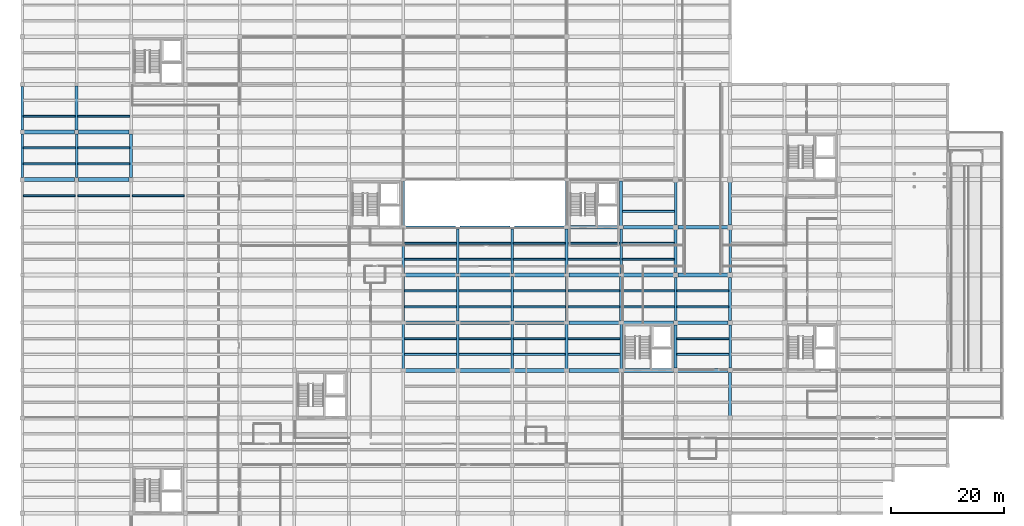
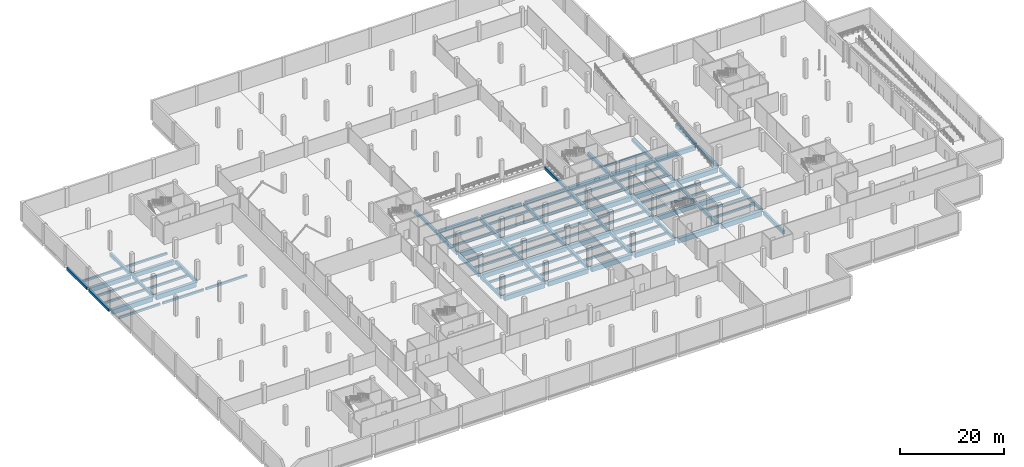
# One storey, part 8 of 30: 102 beams.
"""IFC4 building model written with IfcOpenShell, lengths in metres."""

from ifc_helpers import new_model, si_unit, direction, frame, origin, origin_2d, place, context, subcontext, project, spatial, rectangle, extrude, material, material_profile, profile_set, type_object, element, save


model = new_model("IFC4")

# Units and contexts
model_context = context("Model", 3, precision=1e-05, world=origin(), true_north=direction((0.0, 1.0)))
body_context = subcontext(model_context, "Body", "Model", "MODEL_VIEW")
ifc_project = project(units=[si_unit("LENGTHUNIT", "METRE"), si_unit("AREAUNIT", "SQUARE_METRE"), si_unit("VOLUMEUNIT", "CUBIC_METRE"), si_unit("PLANEANGLEUNIT", "RADIAN"), si_unit("MASSUNIT", "GRAM", prefix="KILO")], contexts=[model_context])

# Site, building, storey
site_placement = place(None, origin())
site = spatial("IfcSite", under=ifc_project, at=site_placement, CompositionType="ELEMENT")
building_placement = place(site_placement, origin())
building = spatial("IfcBuilding", under=site, at=building_placement, Name="Lornevale Opera House", CompositionType="ELEMENT")
storey_placement = place(building_placement, frame((0.0, 0.0, -4.800048828125)))
storey = spatial("IfcBuildingStorey", under=building, at=storey_placement, Name="B1", CompositionType="ELEMENT", Elevation=-4.800048828125)

# Beams
ifc_material_1 = material(Name="Concrete 35 MPa (CSA A23.1 N)", Category="concrete")
ifc_material_profile_1 = material_profile(ifc_material_1, rectangle(XDim=0.449951171875, YDim=0.75, at=origin_2d()), Name="RC450x750")
ifc_profile_set_1 = profile_set([ifc_material_profile_1], Name="Concrete 35 MPa (CSA A23.1 N)")
beam_type_1 = type_object("IfcBeamType", Name="Concrete Floor Beam 450x750", PredefinedType="USERDEFINED", material=ifc_profile_set_1)
beam_1_placement = place(storey_placement, frame((9.60009765625, 67.550048828125, -0.794921875), z_axis=(0.0, 1.0, 0.0), x_axis=(-1.0, 0.0, 0.0)))
element("IfcBeam", 1, at=beam_1_placement, inside=storey, type_object=beam_type_1, Name="Concrete Floor Beam 450x750 0254", ObjectType="GIRDER", PredefinedType="USERDEFINED", context=body_context, shape_type="SweptSolid", body=[
    extrude(rectangle(XDim=0.449951171875, YDim=0.75, at=origin_2d()), origin(), (0.0, 0.0, 1.0), 7.699951171875),
])
beam_2_placement = place(storey_placement, frame((67.199951171875, 33.85009765625, -0.794921875), z_axis=(0.0, 1.0, 0.0), x_axis=(-1.0, 0.0, 0.0)))
element("IfcBeam", 2, at=beam_2_placement, inside=storey, type_object=beam_type_1, Name="Concrete Floor Beam 450x750 0328", ObjectType="GIRDER", PredefinedType="USERDEFINED", context=body_context, shape_type="SweptSolid", body=[
    extrude(rectangle(XDim=0.449951171875, YDim=0.75, at=origin_2d()), origin(), (0.0, 0.0, 1.0), 7.89990234375),
])
beam_3_placement = place(storey_placement, frame((67.199951171875, 50.64990234375, -0.794921875), z_axis=(0.0, 1.0, 0.0), x_axis=(-1.0, 0.0, 0.0)))
element("IfcBeam", 3, at=beam_3_placement, inside=storey, type_object=beam_type_1, Name="Concrete Floor Beam 450x750 0330", ObjectType="GIRDER", PredefinedType="USERDEFINED", context=body_context, shape_type="SweptSolid", body=[
    extrude(rectangle(XDim=0.449951171875, YDim=0.75, at=origin_2d()), origin(), (0.0, 0.0, 1.0), 7.900146484375),
])
for number, where, z_axis, x_axis, name in (
    (4, (76.800048828125, 42.25, -0.794921875), (0.0, 1.0, 0.0), (-1.0, 0.0, 0.0), "Concrete Floor Beam 450x750 0343"),
    (5, (86.39990234375, 33.85009765625, -0.794921875), (0.0, 1.0, 0.0), (-1.0, 0.0, 0.0), "Concrete Floor Beam 450x750 0355"),
):
    element("IfcBeam", number, at=place(storey_placement, frame(where, z_axis=z_axis, x_axis=x_axis)), inside=storey, type_object=beam_type_1, Name=name, ObjectType="GIRDER", PredefinedType="USERDEFINED", context=body_context, shape_type="SweptSolid", body=[
        extrude(rectangle(XDim=0.449951171875, YDim=0.75, at=origin_2d()), origin(), (0.0, 0.0, 1.0), 7.89990234375),
    ])
beam_4_placement = place(storey_placement, frame((86.39990234375, 50.64990234375, -0.794921875), z_axis=(0.0, 1.0, 0.0), x_axis=(-1.0, 0.0, 0.0)))
element("IfcBeam", 6, at=beam_4_placement, inside=storey, type_object=beam_type_1, Name="Concrete Floor Beam 450x750 0357", ObjectType="GIRDER", PredefinedType="USERDEFINED", context=body_context, shape_type="SweptSolid", body=[
    extrude(rectangle(XDim=0.449951171875, YDim=0.75, at=origin_2d()), origin(), (0.0, 0.0, 1.0), 7.900146484375),
])
for number, where, z_axis, x_axis, name in (
    (7, (96.0, 42.25, -0.794921875), (0.0, 1.0, 0.0), (-1.0, 0.0, 0.0), "Concrete Floor Beam 450x750 0369"),
    (8, (105.60009765625, 33.85009765625, -0.794921875), (0.0, 1.0, 0.0), (-1.0, 0.0, 0.0), "Concrete Floor Beam 450x750 0382"),
):
    element("IfcBeam", number, at=place(storey_placement, frame(where, z_axis=z_axis, x_axis=x_axis)), inside=storey, type_object=beam_type_1, Name=name, ObjectType="GIRDER", PredefinedType="USERDEFINED", context=body_context, shape_type="SweptSolid", body=[
        extrude(rectangle(XDim=0.449951171875, YDim=0.75, at=origin_2d()), origin(), (0.0, 0.0, 1.0), 7.89990234375),
    ])
beam_5_placement = place(storey_placement, frame((105.60009765625, 50.64990234375, -0.794921875), z_axis=(0.0, 1.0, 0.0), x_axis=(-1.0, 0.0, 0.0)))
element("IfcBeam", 9, at=beam_5_placement, inside=storey, type_object=beam_type_1, Name="Concrete Floor Beam 450x750 0384", ObjectType="GIRDER", PredefinedType="USERDEFINED", context=body_context, shape_type="SweptSolid", body=[
    extrude(rectangle(XDim=0.449951171875, YDim=0.75, at=origin_2d()), origin(), (0.0, 0.0, 1.0), 7.900146484375),
])
beam_6_placement = place(storey_placement, frame((115.199951171875, 42.375, -0.794921875), z_axis=(0.0, 1.0, 0.0), x_axis=(-1.0, 0.0, 0.0)))
element("IfcBeam", 10, at=beam_6_placement, inside=storey, type_object=beam_type_1, Name="Concrete Floor Beam 450x750 0397", ObjectType="GIRDER", PredefinedType="USERDEFINED", context=body_context, shape_type="SweptSolid", body=[
    extrude(rectangle(XDim=0.449951171875, YDim=0.75, at=origin_2d()), origin(), (0.0, 0.0, 1.0), 7.625),
])
beam_7_placement = place(storey_placement, frame((115.199951171875, 59.199951171875, -0.794921875), z_axis=(0.0, 1.0, 0.0), x_axis=(-1.0, 0.0, 0.0)))
element("IfcBeam", 11, at=beam_7_placement, inside=storey, type_object=beam_type_1, Name="Concrete Floor Beam 450x750 0399", ObjectType="GIRDER", PredefinedType="USERDEFINED", context=body_context, shape_type="SweptSolid", body=[
    extrude(rectangle(XDim=0.449951171875, YDim=0.75, at=origin_2d()), origin(), (0.0, 0.0, 1.0), 7.60009765625),
])
beam_8_placement = place(storey_placement, frame((124.800048828125, 33.97509765625, -0.794921875), z_axis=(0.0, 1.0, 0.0), x_axis=(-1.0, 0.0, 0.0)))
element("IfcBeam", 12, at=beam_8_placement, inside=storey, type_object=beam_type_1, Name="Concrete Floor Beam 450x750 0410", ObjectType="GIRDER", PredefinedType="USERDEFINED", context=body_context, shape_type="SweptSolid", body=[
    extrude(rectangle(XDim=0.449951171875, YDim=0.75, at=origin_2d()), origin(), (0.0, 0.0, 1.0), 7.64990234375),
])
beam_9_placement = place(storey_placement, frame((124.800048828125, 50.800048828125, -0.794921875), z_axis=(0.0, 1.0, 0.0), x_axis=(-1.0, 0.0, 0.0)))
element("IfcBeam", 13, at=beam_9_placement, inside=storey, type_object=beam_type_1, Name="Concrete Floor Beam 450x750 0412", ObjectType="GIRDER", PredefinedType="USERDEFINED", context=body_context, shape_type="SweptSolid", body=[
    extrude(rectangle(XDim=0.449951171875, YDim=0.75, at=origin_2d()), origin(), (0.0, 0.0, 1.0), 7.599853515625),
])
ifc_material_profile_2 = material_profile(ifc_material_1, rectangle(XDim=0.5, YDim=0.800048828125, at=origin_2d()), Name="RC500x800")
ifc_profile_set_2 = profile_set([ifc_material_profile_2], Name="Concrete 35 MPa (CSA A23.1 N)")
beam_type_2 = type_object("IfcBeamType", Name="Concrete Floor Beam 500x800", PredefinedType="USERDEFINED", material=ifc_profile_set_2)
beam_10_placement = place(storey_placement, frame((9.60009765625, 75.949951171875, -0.820068359375), z_axis=(0.0, 1.0, 0.0), x_axis=(-1.0, 0.0, 0.0)))
element("IfcBeam", 14, at=beam_10_placement, inside=storey, type_object=beam_type_2, Name="Concrete Floor Beam 500x800 0255", ObjectType="GIRDER", PredefinedType="USERDEFINED", context=body_context, shape_type="SweptSolid", body=[
    extrude(rectangle(XDim=0.5, YDim=0.800048828125, at=origin_2d()), origin(), (0.0, 0.0, 1.0), 7.775146484375),
])
beam_11_placement = place(storey_placement, frame((19.199951171875, 67.550048828125, -0.820068359375), z_axis=(0.0, 1.0, 0.0), x_axis=(-1.0, 0.0, 0.0)))
element("IfcBeam", 15, at=beam_11_placement, inside=storey, type_object=beam_type_2, Name="Concrete Floor Beam 500x800 0266", ObjectType="GIRDER", PredefinedType="USERDEFINED", context=body_context, shape_type="SweptSolid", body=[
    extrude(rectangle(XDim=0.5, YDim=0.800048828125, at=origin_2d()), origin(), (0.0, 0.0, 1.0), 7.699951171875),
])
for number, where, z_axis, x_axis, name in (
    (16, (67.199951171875, 42.25, -0.820068359375), (0.0, 1.0, 0.0), (-1.0, 0.0, 0.0), "Concrete Floor Beam 500x800 0329"),
    (17, (76.800048828125, 33.85009765625, -0.820068359375), (0.0, 1.0, 0.0), (-1.0, 0.0, 0.0), "Concrete Floor Beam 500x800 0342"),
):
    element("IfcBeam", number, at=place(storey_placement, frame(where, z_axis=z_axis, x_axis=x_axis)), inside=storey, type_object=beam_type_2, Name=name, ObjectType="GIRDER", PredefinedType="USERDEFINED", context=body_context, shape_type="SweptSolid", body=[
        extrude(rectangle(XDim=0.5, YDim=0.800048828125, at=origin_2d()), origin(), (0.0, 0.0, 1.0), 7.89990234375),
    ])
beam_12_placement = place(storey_placement, frame((76.800048828125, 50.64990234375, -0.820068359375), z_axis=(0.0, 1.0, 0.0), x_axis=(-1.0, 0.0, 0.0)))
element("IfcBeam", 18, at=beam_12_placement, inside=storey, type_object=beam_type_2, Name="Concrete Floor Beam 500x800 0344", ObjectType="GIRDER", PredefinedType="USERDEFINED", context=body_context, shape_type="SweptSolid", body=[
    extrude(rectangle(XDim=0.5, YDim=0.800048828125, at=origin_2d()), origin(), (0.0, 0.0, 1.0), 7.900146484375),
])
for number, where, z_axis, x_axis, name in (
    (19, (86.39990234375, 42.25, -0.820068359375), (0.0, 1.0, 0.0), (-1.0, 0.0, 0.0), "Concrete Floor Beam 500x800 0356"),
    (20, (96.0, 33.85009765625, -0.820068359375), (0.0, 1.0, 0.0), (-1.0, 0.0, 0.0), "Concrete Floor Beam 500x800 0368"),
):
    element("IfcBeam", number, at=place(storey_placement, frame(where, z_axis=z_axis, x_axis=x_axis)), inside=storey, type_object=beam_type_2, Name=name, ObjectType="GIRDER", PredefinedType="USERDEFINED", context=body_context, shape_type="SweptSolid", body=[
        extrude(rectangle(XDim=0.5, YDim=0.800048828125, at=origin_2d()), origin(), (0.0, 0.0, 1.0), 7.89990234375),
    ])
beam_13_placement = place(storey_placement, frame((96.0, 50.64990234375, -0.820068359375), z_axis=(0.0, 1.0, 0.0), x_axis=(-1.0, 0.0, 0.0)))
element("IfcBeam", 21, at=beam_13_placement, inside=storey, type_object=beam_type_2, Name="Concrete Floor Beam 500x800 0370", ObjectType="GIRDER", PredefinedType="USERDEFINED", context=body_context, shape_type="SweptSolid", body=[
    extrude(rectangle(XDim=0.5, YDim=0.800048828125, at=origin_2d()), origin(), (0.0, 0.0, 1.0), 7.900146484375),
])
beam_14_placement = place(storey_placement, frame((105.60009765625, 42.25, -0.820068359375), z_axis=(0.0, 1.0, 0.0), x_axis=(-1.0, 0.0, 0.0)))
element("IfcBeam", 22, at=beam_14_placement, inside=storey, type_object=beam_type_2, Name="Concrete Floor Beam 500x800 0383", ObjectType="GIRDER", PredefinedType="USERDEFINED", context=body_context, shape_type="SweptSolid", body=[
    extrude(rectangle(XDim=0.5, YDim=0.800048828125, at=origin_2d()), origin(), (0.0, 0.0, 1.0), 7.89990234375),
])
beam_15_placement = place(storey_placement, frame((105.60009765625, 59.050048828125, -0.820068359375), z_axis=(0.0, 1.0, 0.0), x_axis=(-1.0, 0.0, 0.0)))
element("IfcBeam", 23, at=beam_15_placement, inside=storey, type_object=beam_type_2, Name="Concrete Floor Beam 500x800 0385", ObjectType="GIRDER", PredefinedType="USERDEFINED", context=body_context, shape_type="SweptSolid", body=[
    extrude(rectangle(XDim=0.5, YDim=0.800048828125, at=origin_2d()), origin(), (0.0, 0.0, 1.0), 7.949951171875),
])
beam_16_placement = place(storey_placement, frame((115.199951171875, 33.97509765625, -0.820068359375), z_axis=(0.0, 1.0, 0.0), x_axis=(-1.0, 0.0, 0.0)))
element("IfcBeam", 24, at=beam_16_placement, inside=storey, type_object=beam_type_2, Name="Concrete Floor Beam 500x800 0396", ObjectType="GIRDER", PredefinedType="USERDEFINED", context=body_context, shape_type="SweptSolid", body=[
    extrude(rectangle(XDim=0.5, YDim=0.800048828125, at=origin_2d()), origin(), (0.0, 0.0, 1.0), 7.64990234375),
])
beam_17_placement = place(storey_placement, frame((115.199951171875, 50.800048828125, -0.820068359375), z_axis=(0.0, 1.0, 0.0), x_axis=(-1.0, 0.0, 0.0)))
element("IfcBeam", 25, at=beam_17_placement, inside=storey, type_object=beam_type_2, Name="Concrete Floor Beam 500x800 0398", ObjectType="GIRDER", PredefinedType="USERDEFINED", context=body_context, shape_type="SweptSolid", body=[
    extrude(rectangle(XDim=0.5, YDim=0.800048828125, at=origin_2d()), origin(), (0.0, 0.0, 1.0), 7.599853515625),
])
beam_18_placement = place(storey_placement, frame((124.800048828125, 25.574951171875, -0.820068359375), z_axis=(0.0, 1.0, 0.0), x_axis=(-1.0, 0.0, 0.0)))
element("IfcBeam", 26, at=beam_18_placement, inside=storey, type_object=beam_type_2, Name="Concrete Floor Beam 500x800 0409", ObjectType="GIRDER", PredefinedType="USERDEFINED", context=body_context, shape_type="SweptSolid", body=[
    extrude(rectangle(XDim=0.5, YDim=0.800048828125, at=origin_2d()), origin(), (0.0, 0.0, 1.0), 7.650146484375),
])
beam_19_placement = place(storey_placement, frame((124.800048828125, 42.375, -0.820068359375), z_axis=(0.0, 1.0, 0.0), x_axis=(-1.0, 0.0, 0.0)))
element("IfcBeam", 27, at=beam_19_placement, inside=storey, type_object=beam_type_2, Name="Concrete Floor Beam 500x800 0411", ObjectType="GIRDER", PredefinedType="USERDEFINED", context=body_context, shape_type="SweptSolid", body=[
    extrude(rectangle(XDim=0.5, YDim=0.800048828125, at=origin_2d()), origin(), (0.0, 0.0, 1.0), 7.625),
])
beam_20_placement = place(storey_placement, frame((124.800048828125, 59.199951171875, -0.820068359375), z_axis=(0.0, 1.0, 0.0), x_axis=(-1.0, 0.0, 0.0)))
element("IfcBeam", 28, at=beam_20_placement, inside=storey, type_object=beam_type_2, Name="Concrete Floor Beam 500x800 0413", ObjectType="GIRDER", PredefinedType="USERDEFINED", context=body_context, shape_type="SweptSolid", body=[
    extrude(rectangle(XDim=0.5, YDim=0.800048828125, at=origin_2d()), origin(), (0.0, 0.0, 1.0), 7.60009765625),
])
ifc_material_2 = material(Name="Concrete 40 MPa (CSA A23.1 C-1)", Category="concrete")
ifc_material_profile_3 = material_profile(ifc_material_2, rectangle(XDim=0.64990234375, YDim=1.0, at=origin_2d()), Name="RC650x1000")
ifc_profile_set_3 = profile_set([ifc_material_profile_3], Name="Concrete 40 MPa (CSA A23.1 C-1)")
beam_type_3 = type_object("IfcBeamType", Name="Concrete Primary Girder 650x1000", PredefinedType="USERDEFINED", material=ifc_profile_set_3)
beam_21_placement = place(storey_placement, frame((67.60009765625, 42.0, -0.919921875), z_axis=(1.0, 0.0, 0.0), x_axis=(0.0, 1.0, 0.0)))
element("IfcBeam", 29, at=beam_21_placement, inside=storey, type_object=beam_type_3, Name="Concrete Primary Girder 650x1000 0090", ObjectType="GIRDER", PredefinedType="USERDEFINED", context=body_context, shape_type="SweptSolid", body=[
    extrude(rectangle(XDim=0.64990234375, YDim=1.0, at=origin_2d()), origin(), (0.0, 0.0, 1.0), 8.7998046875),
])
for number, where, z_axis, x_axis, name in (
    (30, (77.199951171875, 42.0, -0.919921875), (1.0, 0.0, 0.0), (0.0, 1.0, 0.0), "Concrete Primary Girder 650x1000 0091"),
    (31, (86.800048828125, 42.0, -0.919921875), (1.0, 0.0, 0.0), (0.0, 1.0, 0.0), "Concrete Primary Girder 650x1000 0092"),
    (32, (96.39990234375, 42.0, -0.919921875), (1.0, 0.0, 0.0), (0.0, 1.0, 0.0), "Concrete Primary Girder 650x1000 0093"),
):
    element("IfcBeam", number, at=place(storey_placement, frame(where, z_axis=z_axis, x_axis=x_axis)), inside=storey, type_object=beam_type_3, Name=name, ObjectType="GIRDER", PredefinedType="USERDEFINED", context=body_context, shape_type="SweptSolid", body=[
        extrude(rectangle(XDim=0.64990234375, YDim=1.0, at=origin_2d()), origin(), (0.0, 0.0, 1.0), 8.800048828125),
    ])
beam_22_placement = place(storey_placement, frame((106.0, 42.0, -0.919921875), z_axis=(1.0, 0.0, 0.0), x_axis=(0.0, 1.0, 0.0)))
element("IfcBeam", 33, at=beam_22_placement, inside=storey, type_object=beam_type_3, Name="Concrete Primary Girder 650x1000 0094", ObjectType="GIRDER", PredefinedType="USERDEFINED", context=body_context, shape_type="SweptSolid", body=[
    extrude(rectangle(XDim=0.64990234375, YDim=1.0, at=origin_2d()), origin(), (0.0, 0.0, 1.0), 8.824951171875),
])
beam_23_placement = place(storey_placement, frame((115.574951171875, 42.0, -0.919921875), z_axis=(1.0, 0.0, 0.0), x_axis=(0.0, 1.0, 0.0)))
element("IfcBeam", 34, at=beam_23_placement, inside=storey, type_object=beam_type_3, Name="Concrete Primary Girder 650x1000 0095", ObjectType="GIRDER", PredefinedType="USERDEFINED", context=body_context, shape_type="SweptSolid", body=[
    extrude(rectangle(XDim=0.64990234375, YDim=1.0, at=origin_2d()), origin(), (0.0, 0.0, 1.0), 8.85009765625),
])
for number, where, z_axis, x_axis, name in (
    (35, (96.39990234375, 58.800048828125, -0.919921875), (1.0, 0.0, 0.0), (0.0, 1.0, 0.0), "Concrete Primary Girder 650x1000 0129"),
    (36, (106.0, 58.800048828125, -0.919921875), (1.0, 0.0, 0.0), (0.0, 1.0, 0.0), "Concrete Primary Girder 650x1000 0130"),
):
    element("IfcBeam", number, at=place(storey_placement, frame(where, z_axis=z_axis, x_axis=x_axis)), inside=storey, type_object=beam_type_3, Name=name, ObjectType="GIRDER", PredefinedType="USERDEFINED", context=body_context, shape_type="SweptSolid", body=[
        extrude(rectangle(XDim=0.64990234375, YDim=1.0, at=origin_2d()), origin(), (0.0, 0.0, 1.0), 8.800048828125),
    ])
beam_24_placement = place(storey_placement, frame((115.60009765625, 58.800048828125, -0.919921875), z_axis=(1.0, 0.0, 0.0), x_axis=(0.0, 1.0, 0.0)))
element("IfcBeam", 37, at=beam_24_placement, inside=storey, type_object=beam_type_3, Name="Concrete Primary Girder 650x1000 0131", ObjectType="GIRDER", PredefinedType="USERDEFINED", context=body_context, shape_type="SweptSolid", body=[
    extrude(rectangle(XDim=0.64990234375, YDim=1.0, at=origin_2d()), origin(), (0.0, 0.0, 1.0), 8.7998046875),
])
beam_25_placement = place(storey_placement, frame((0.35009765625, 75.60009765625, -0.919921875), z_axis=(1.0, 0.0, 0.0), x_axis=(0.0, 1.0, 0.0)))
element("IfcBeam", 38, at=beam_25_placement, inside=storey, type_object=beam_type_3, Name="Concrete Primary Girder 650x1000 0155", ObjectType="GIRDER", PredefinedType="USERDEFINED", context=body_context, shape_type="SweptSolid", body=[
    extrude(rectangle(XDim=0.64990234375, YDim=1.0, at=origin_2d()), origin(), (0.0, 0.0, 1.0), 8.89990234375),
])
beam_26_placement = place(storey_placement, frame((9.949951171875, 75.60009765625, -0.919921875), z_axis=(1.0, 0.0, 0.0), x_axis=(0.0, 1.0, 0.0)))
element("IfcBeam", 39, at=beam_26_placement, inside=storey, type_object=beam_type_3, Name="Concrete Primary Girder 650x1000 0156", ObjectType="GIRDER", PredefinedType="USERDEFINED", context=body_context, shape_type="SweptSolid", body=[
    extrude(rectangle(XDim=0.64990234375, YDim=1.0, at=origin_2d()), origin(), (0.0, 0.0, 1.0), 8.900146484375),
])
ifc_material_profile_4 = material_profile(ifc_material_2, rectangle(XDim=0.699951171875, YDim=1.10009765625, at=origin_2d()), Name="RC700x1100")
ifc_profile_set_4 = profile_set([ifc_material_profile_4], Name="Concrete 40 MPa (CSA A23.1 C-1)")
beam_type_4 = type_object("IfcBeamType", Name="Concrete Primary Girder 700x1100", PredefinedType="USERDEFINED", material=ifc_profile_set_4)
beam_27_placement = place(storey_placement, frame((67.60009765625, 33.60009765625, -0.969970703125), z_axis=(1.0, 0.0, 0.0), x_axis=(0.0, 1.0, 0.0)))
element("IfcBeam", 40, at=beam_27_placement, inside=storey, type_object=beam_type_4, Name="Concrete Primary Girder 700x1100 0072", ObjectType="GIRDER", PredefinedType="USERDEFINED", context=body_context, shape_type="SweptSolid", body=[
    extrude(rectangle(XDim=0.699951171875, YDim=1.10009765625, at=origin_2d()), origin(), (0.0, 0.0, 1.0), 8.7998046875),
])
for number, where, z_axis, x_axis, name in (
    (41, (77.199951171875, 33.60009765625, -0.969970703125), (1.0, 0.0, 0.0), (0.0, 1.0, 0.0), "Concrete Primary Girder 700x1100 0073"),
    (42, (86.800048828125, 33.60009765625, -0.969970703125), (1.0, 0.0, 0.0), (0.0, 1.0, 0.0), "Concrete Primary Girder 700x1100 0074"),
    (43, (96.39990234375, 33.60009765625, -0.969970703125), (1.0, 0.0, 0.0), (0.0, 1.0, 0.0), "Concrete Primary Girder 700x1100 0075"),
):
    element("IfcBeam", number, at=place(storey_placement, frame(where, z_axis=z_axis, x_axis=x_axis)), inside=storey, type_object=beam_type_4, Name=name, ObjectType="GIRDER", PredefinedType="USERDEFINED", context=body_context, shape_type="SweptSolid", body=[
        extrude(rectangle(XDim=0.699951171875, YDim=1.10009765625, at=origin_2d()), origin(), (0.0, 0.0, 1.0), 8.800048828125),
    ])
beam_28_placement = place(storey_placement, frame((106.0, 33.60009765625, -0.969970703125), z_axis=(1.0, 0.0, 0.0), x_axis=(0.0, 1.0, 0.0)))
element("IfcBeam", 44, at=beam_28_placement, inside=storey, type_object=beam_type_4, Name="Concrete Primary Girder 700x1100 0076", ObjectType="GIRDER", PredefinedType="USERDEFINED", context=body_context, shape_type="SweptSolid", body=[
    extrude(rectangle(XDim=0.699951171875, YDim=1.10009765625, at=origin_2d()), origin(), (0.0, 0.0, 1.0), 8.824951171875),
])
beam_29_placement = place(storey_placement, frame((115.574951171875, 33.60009765625, -0.969970703125), z_axis=(1.0, 0.0, 0.0), x_axis=(0.0, 1.0, 0.0)))
element("IfcBeam", 45, at=beam_29_placement, inside=storey, type_object=beam_type_4, Name="Concrete Primary Girder 700x1100 0077", ObjectType="GIRDER", PredefinedType="USERDEFINED", context=body_context, shape_type="SweptSolid", body=[
    extrude(rectangle(XDim=0.699951171875, YDim=1.10009765625, at=origin_2d()), origin(), (0.0, 0.0, 1.0), 8.85009765625),
])
beam_30_placement = place(storey_placement, frame((67.60009765625, 50.39990234375, -0.969970703125), z_axis=(1.0, 0.0, 0.0), x_axis=(0.0, 1.0, 0.0)))
element("IfcBeam", 46, at=beam_30_placement, inside=storey, type_object=beam_type_4, Name="Concrete Primary Girder 700x1100 0108", ObjectType="GIRDER", PredefinedType="USERDEFINED", context=body_context, shape_type="SweptSolid", body=[
    extrude(rectangle(XDim=0.699951171875, YDim=1.10009765625, at=origin_2d()), origin(), (0.0, 0.0, 1.0), 8.7998046875),
])
for number, where, z_axis, x_axis, name in (
    (47, (77.199951171875, 50.39990234375, -0.969970703125), (1.0, 0.0, 0.0), (0.0, 1.0, 0.0), "Concrete Primary Girder 700x1100 0109"),
    (48, (86.800048828125, 50.39990234375, -0.969970703125), (1.0, 0.0, 0.0), (0.0, 1.0, 0.0), "Concrete Primary Girder 700x1100 0110"),
    (49, (96.39990234375, 50.39990234375, -0.969970703125), (1.0, 0.0, 0.0), (0.0, 1.0, 0.0), "Concrete Primary Girder 700x1100 0111"),
    (50, (106.0, 50.39990234375, -0.969970703125), (1.0, 0.0, 0.0), (0.0, 1.0, 0.0), "Concrete Primary Girder 700x1100 0112"),
):
    element("IfcBeam", number, at=place(storey_placement, frame(where, z_axis=z_axis, x_axis=x_axis)), inside=storey, type_object=beam_type_4, Name=name, ObjectType="GIRDER", PredefinedType="USERDEFINED", context=body_context, shape_type="SweptSolid", body=[
        extrude(rectangle(XDim=0.699951171875, YDim=1.10009765625, at=origin_2d()), origin(), (0.0, 0.0, 1.0), 8.800048828125),
    ])
beam_31_placement = place(storey_placement, frame((115.60009765625, 50.39990234375, -0.969970703125), z_axis=(1.0, 0.0, 0.0), x_axis=(0.0, 1.0, 0.0)))
element("IfcBeam", 51, at=beam_31_placement, inside=storey, type_object=beam_type_4, Name="Concrete Primary Girder 700x1100 0113", ObjectType="GIRDER", PredefinedType="USERDEFINED", context=body_context, shape_type="SweptSolid", body=[
    extrude(rectangle(XDim=0.699951171875, YDim=1.10009765625, at=origin_2d()), origin(), (0.0, 0.0, 1.0), 8.7998046875),
])
beam_32_placement = place(storey_placement, frame((0.35009765625, 67.199951171875, -0.969970703125), z_axis=(1.0, 0.0, 0.0), x_axis=(0.0, 1.0, 0.0)))
element("IfcBeam", 52, at=beam_32_placement, inside=storey, type_object=beam_type_4, Name="Concrete Primary Girder 700x1100 0137", ObjectType="GIRDER", PredefinedType="USERDEFINED", context=body_context, shape_type="SweptSolid", body=[
    extrude(rectangle(XDim=0.699951171875, YDim=1.10009765625, at=origin_2d()), origin(), (0.0, 0.0, 1.0), 8.89990234375),
])
beam_33_placement = place(storey_placement, frame((9.949951171875, 67.199951171875, -0.969970703125), z_axis=(1.0, 0.0, 0.0), x_axis=(0.0, 1.0, 0.0)))
element("IfcBeam", 53, at=beam_33_placement, inside=storey, type_object=beam_type_4, Name="Concrete Primary Girder 700x1100 0138", ObjectType="GIRDER", PredefinedType="USERDEFINED", context=body_context, shape_type="SweptSolid", body=[
    extrude(rectangle(XDim=0.699951171875, YDim=1.10009765625, at=origin_2d()), origin(), (0.0, 0.0, 1.0), 8.900146484375),
])
ifc_material_profile_5 = material_profile(ifc_material_1, rectangle(XDim=0.35009765625, YDim=0.5, at=origin_2d()), Name="RC350x500")
ifc_profile_set_5 = profile_set([ifc_material_profile_5], Name="Concrete 35 MPa (CSA A23.1 N)")
beam_type_5 = type_object("IfcBeamType", Name="Concrete Secondary Rib 350x500", PredefinedType="JOIST", material=ifc_profile_set_5)
beam_34_placement = place(storey_placement, frame((0.22509765625, 64.39990234375, -0.669921875), z_axis=(1.0, 0.0, 0.0), x_axis=(0.0, 1.0, 0.0)))
element("IfcBeam", 54, at=beam_34_placement, inside=storey, type_object=beam_type_5, Name="Concrete Secondary Rib 350x500 0476", PredefinedType="JOIST", context=body_context, shape_type="SweptSolid", body=[
    extrude(rectangle(XDim=0.35009765625, YDim=0.5, at=origin_2d()), origin(), (0.0, 0.0, 1.0), 9.125),
])
for number, where, z_axis, x_axis, name in (
    (55, (0.22509765625, 70.0, -0.669921875), (1.0, 0.0, 0.0), (0.0, 1.0, 0.0), "Concrete Secondary Rib 350x500 0477"),
    (56, (0.22509765625, 72.800048828125, -0.669921875), (1.0, 0.0, 0.0), (0.0, 1.0, 0.0), "Concrete Secondary Rib 350x500 0478"),
):
    element("IfcBeam", number, at=place(storey_placement, frame(where, z_axis=z_axis, x_axis=x_axis)), inside=storey, type_object=beam_type_5, Name=name, PredefinedType="JOIST", context=body_context, shape_type="SweptSolid", body=[
        extrude(rectangle(XDim=0.35009765625, YDim=0.5, at=origin_2d()), origin(), (0.0, 0.0, 1.0), 9.14990234375),
    ])
for number, where, z_axis, x_axis, name in (
    (57, (0.22509765625, 78.39990234375, -0.669921875), (1.0, 0.0, 0.0), (0.0, 1.0, 0.0), "Concrete Secondary Rib 350x500 0479"),
    (58, (9.85009765625, 64.39990234375, -0.669921875), (1.0, 0.0, 0.0), (0.0, 1.0, 0.0), "Concrete Secondary Rib 350x500 0500"),
    (59, (9.824951171875, 70.0, -0.669921875), (1.0, 0.0, 0.0), (0.0, 1.0, 0.0), "Concrete Secondary Rib 350x500 0501"),
    (60, (9.824951171875, 72.800048828125, -0.669921875), (1.0, 0.0, 0.0), (0.0, 1.0, 0.0), "Concrete Secondary Rib 350x500 0502"),
    (61, (9.85009765625, 78.39990234375, -0.669921875), (1.0, 0.0, 0.0), (0.0, 1.0, 0.0), "Concrete Secondary Rib 350x500 0503"),
    (62, (19.425048828125, 64.39990234375, -0.669921875), (1.0, 0.0, 0.0), (0.0, 1.0, 0.0), "Concrete Secondary Rib 350x500 0522"),
    (63, (67.425048828125, 36.39990234375, -0.669921875), (1.0, 0.0, 0.0), (0.0, 1.0, 0.0), "Concrete Secondary Rib 350x500 0639"),
    (64, (67.425048828125, 39.199951171875, -0.669921875), (1.0, 0.0, 0.0), (0.0, 1.0, 0.0), "Concrete Secondary Rib 350x500 0640"),
    (65, (67.449951171875, 44.800048828125, -0.669921875), (1.0, 0.0, 0.0), (0.0, 1.0, 0.0), "Concrete Secondary Rib 350x500 0641"),
    (66, (67.449951171875, 47.60009765625, -0.669921875), (1.0, 0.0, 0.0), (0.0, 1.0, 0.0), "Concrete Secondary Rib 350x500 0642"),
    (67, (67.425048828125, 53.199951171875, -0.669921875), (1.0, 0.0, 0.0), (0.0, 1.0, 0.0), "Concrete Secondary Rib 350x500 0643"),
    (68, (67.425048828125, 56.0, -0.669921875), (1.0, 0.0, 0.0), (0.0, 1.0, 0.0), "Concrete Secondary Rib 350x500 0644"),
    (69, (77.050048828125, 36.39990234375, -0.669921875), (1.0, 0.0, 0.0), (0.0, 1.0, 0.0), "Concrete Secondary Rib 350x500 0665"),
    (70, (77.050048828125, 39.199951171875, -0.669921875), (1.0, 0.0, 0.0), (0.0, 1.0, 0.0), "Concrete Secondary Rib 350x500 0666"),
    (71, (77.02490234375, 44.800048828125, -0.669921875), (1.0, 0.0, 0.0), (0.0, 1.0, 0.0), "Concrete Secondary Rib 350x500 0667"),
    (72, (77.02490234375, 47.60009765625, -0.669921875), (1.0, 0.0, 0.0), (0.0, 1.0, 0.0), "Concrete Secondary Rib 350x500 0668"),
    (73, (77.050048828125, 53.199951171875, -0.669921875), (1.0, 0.0, 0.0), (0.0, 1.0, 0.0), "Concrete Secondary Rib 350x500 0669"),
    (74, (77.050048828125, 56.0, -0.669921875), (1.0, 0.0, 0.0), (0.0, 1.0, 0.0), "Concrete Secondary Rib 350x500 0670"),
    (75, (86.625, 36.39990234375, -0.669921875), (1.0, 0.0, 0.0), (0.0, 1.0, 0.0), "Concrete Secondary Rib 350x500 0691"),
    (76, (86.625, 39.199951171875, -0.669921875), (1.0, 0.0, 0.0), (0.0, 1.0, 0.0), "Concrete Secondary Rib 350x500 0692"),
    (77, (86.64990234375, 44.800048828125, -0.669921875), (1.0, 0.0, 0.0), (0.0, 1.0, 0.0), "Concrete Secondary Rib 350x500 0693"),
    (78, (86.64990234375, 47.60009765625, -0.669921875), (1.0, 0.0, 0.0), (0.0, 1.0, 0.0), "Concrete Secondary Rib 350x500 0694"),
    (79, (86.625, 53.199951171875, -0.669921875), (1.0, 0.0, 0.0), (0.0, 1.0, 0.0), "Concrete Secondary Rib 350x500 0695"),
    (80, (86.625, 56.0, -0.669921875), (1.0, 0.0, 0.0), (0.0, 1.0, 0.0), "Concrete Secondary Rib 350x500 0696"),
    (81, (96.25, 36.39990234375, -0.669921875), (1.0, 0.0, 0.0), (0.0, 1.0, 0.0), "Concrete Secondary Rib 350x500 0717"),
    (82, (96.25, 39.199951171875, -0.669921875), (1.0, 0.0, 0.0), (0.0, 1.0, 0.0), "Concrete Secondary Rib 350x500 0718"),
    (83, (96.22509765625, 44.800048828125, -0.669921875), (1.0, 0.0, 0.0), (0.0, 1.0, 0.0), "Concrete Secondary Rib 350x500 0719"),
    (84, (96.22509765625, 47.60009765625, -0.669921875), (1.0, 0.0, 0.0), (0.0, 1.0, 0.0), "Concrete Secondary Rib 350x500 0720"),
    (85, (96.25, 53.199951171875, -0.669921875), (1.0, 0.0, 0.0), (0.0, 1.0, 0.0), "Concrete Secondary Rib 350x500 0721"),
    (86, (96.25, 56.0, -0.669921875), (1.0, 0.0, 0.0), (0.0, 1.0, 0.0), "Concrete Secondary Rib 350x500 0722"),
    (87, (105.85009765625, 44.800048828125, -0.669921875), (1.0, 0.0, 0.0), (0.0, 1.0, 0.0), "Concrete Secondary Rib 350x500 0743"),
    (88, (105.85009765625, 47.60009765625, -0.669921875), (1.0, 0.0, 0.0), (0.0, 1.0, 0.0), "Concrete Secondary Rib 350x500 0744"),
    (89, (105.824951171875, 53.199951171875, -0.669921875), (1.0, 0.0, 0.0), (0.0, 1.0, 0.0), "Concrete Secondary Rib 350x500 0745"),
    (90, (105.824951171875, 56.0, -0.669921875), (1.0, 0.0, 0.0), (0.0, 1.0, 0.0), "Concrete Secondary Rib 350x500 0746"),
    (91, (105.85009765625, 61.60009765625, -0.669921875), (1.0, 0.0, 0.0), (0.0, 1.0, 0.0), "Concrete Secondary Rib 350x500 0747"),
    (92, (115.449951171875, 36.39990234375, -0.669921875), (1.0, 0.0, 0.0), (0.0, 1.0, 0.0), "Concrete Secondary Rib 350x500 0769"),
    (93, (115.449951171875, 39.199951171875, -0.669921875), (1.0, 0.0, 0.0), (0.0, 1.0, 0.0), "Concrete Secondary Rib 350x500 0770"),
    (94, (115.425048828125, 44.800048828125, -0.669921875), (1.0, 0.0, 0.0), (0.0, 1.0, 0.0), "Concrete Secondary Rib 350x500 0771"),
    (95, (115.425048828125, 47.60009765625, -0.669921875), (1.0, 0.0, 0.0), (0.0, 1.0, 0.0), "Concrete Secondary Rib 350x500 0772"),
):
    element("IfcBeam", number, at=place(storey_placement, frame(where, z_axis=z_axis, x_axis=x_axis)), inside=storey, type_object=beam_type_5, Name=name, PredefinedType="JOIST", context=body_context, shape_type="SweptSolid", body=[
        extrude(rectangle(XDim=0.35009765625, YDim=0.5, at=origin_2d()), origin(), (0.0, 0.0, 1.0), 9.125),
    ])
ifc_material_profile_6 = material_profile(ifc_material_1, rectangle(XDim=0.449951171875, YDim=0.64990234375, at=origin_2d()), Name="RC450x650")
ifc_profile_set_6 = profile_set([ifc_material_profile_6], Name="Concrete 35 MPa (CSA A23.1 N)")
beam_type_6 = type_object("IfcBeamType", Name="Concrete Spandrel Beam 450x650", PredefinedType="SPANDREL", material=ifc_profile_set_6)
beam_35_placement = place(storey_placement, frame((67.60009765625, 58.800048828125, -0.744873046875), z_axis=(1.0, 0.0, 0.0), x_axis=(0.0, 1.0, 0.0)))
element("IfcBeam", 96, at=beam_35_placement, inside=storey, type_object=beam_type_6, Name="Concrete Spandrel Beam 450x650 0126", PredefinedType="SPANDREL", context=body_context, shape_type="SweptSolid", body=[
    extrude(rectangle(XDim=0.449951171875, YDim=0.64990234375, at=origin_2d()), origin(), (0.0, 0.0, 1.0), 8.7998046875),
])
for number, where, z_axis, x_axis, name in (
    (97, (77.199951171875, 58.800048828125, -0.744873046875), (1.0, 0.0, 0.0), (0.0, 1.0, 0.0), "Concrete Spandrel Beam 450x650 0127"),
    (98, (86.800048828125, 58.800048828125, -0.744873046875), (1.0, 0.0, 0.0), (0.0, 1.0, 0.0), "Concrete Spandrel Beam 450x650 0128"),
):
    element("IfcBeam", number, at=place(storey_placement, frame(where, z_axis=z_axis, x_axis=x_axis)), inside=storey, type_object=beam_type_6, Name=name, PredefinedType="SPANDREL", context=body_context, shape_type="SweptSolid", body=[
        extrude(rectangle(XDim=0.449951171875, YDim=0.64990234375, at=origin_2d()), origin(), (0.0, 0.0, 1.0), 8.800048828125),
    ])
for number, where, z_axis, x_axis, name in (
    (99, (0.0, 67.550048828125, -0.744873046875), (0.0, 1.0, 0.0), (-1.0, 0.0, 0.0), "Concrete Spandrel Beam 450x650 0242"),
    (100, (0.0, 75.949951171875, -0.744873046875), (0.0, 1.0, 0.0), (-1.0, 0.0, 0.0), "Concrete Spandrel Beam 450x650 0243"),
):
    element("IfcBeam", number, at=place(storey_placement, frame(where, z_axis=z_axis, x_axis=x_axis)), inside=storey, type_object=beam_type_6, Name=name, PredefinedType="SPANDREL", context=body_context, shape_type="SweptSolid", body=[
        extrude(rectangle(XDim=0.449951171875, YDim=0.64990234375, at=origin_2d()), origin(), (0.0, 0.0, 1.0), 7.699951171875),
    ])
for number, where, z_axis, x_axis, name in (
    (101, (67.199951171875, 59.050048828125, -0.744873046875), (0.0, 1.0, 0.0), (-1.0, 0.0, 0.0), "Concrete Spandrel Beam 450x650 0331"),
    (102, (96.0, 59.050048828125, -0.744873046875), (0.0, 1.0, 0.0), (-1.0, 0.0, 0.0), "Concrete Spandrel Beam 450x650 0371"),
):
    element("IfcBeam", number, at=place(storey_placement, frame(where, z_axis=z_axis, x_axis=x_axis)), inside=storey, type_object=beam_type_6, Name=name, PredefinedType="SPANDREL", context=body_context, shape_type="SweptSolid", body=[
        extrude(rectangle(XDim=0.449951171875, YDim=0.64990234375, at=origin_2d()), origin(), (0.0, 0.0, 1.0), 7.949951171875),
    ])

save(model, "model.ifc")
